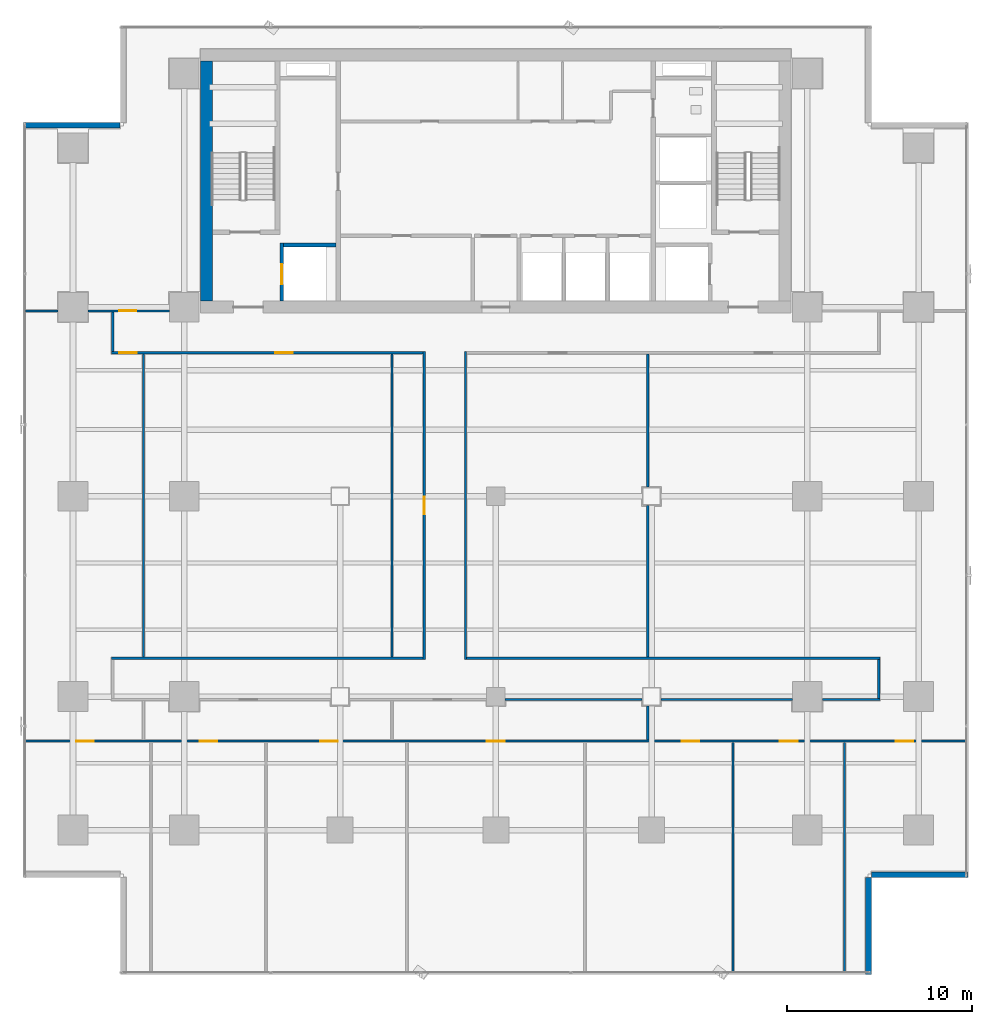
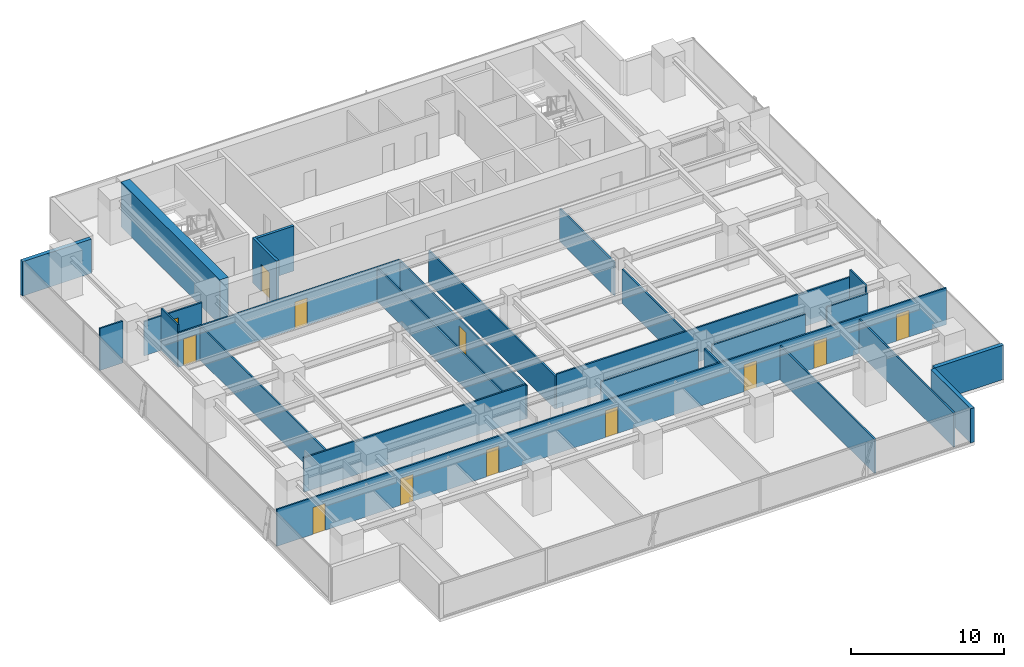
# One storey, part 28 of 37: 26 walls, 12 doors, 12 openings.
"""IFC4 building model written with IfcOpenShell, lengths in metres."""

from ifc_helpers import new_model, si_unit, direction, frame, frame_2d, origin, place, context, subcontext, project, spatial, rectangle, extrude, source, transform, mapped, material, layer, layer_set, type_object, element, fill, save


model = new_model("IFC4")

# Units and contexts
model_context = context("Model", 3, precision=1e-05, world=origin(), true_north=direction((0.0, 1.0)))
body_context = subcontext(model_context, "Body", "Model", "MODEL_VIEW")
ifc_project = project(units=[si_unit("LENGTHUNIT", "METRE"), si_unit("AREAUNIT", "SQUARE_METRE"), si_unit("VOLUMEUNIT", "CUBIC_METRE"), si_unit("PLANEANGLEUNIT", "RADIAN"), si_unit("MASSUNIT", "GRAM", prefix="KILO")], contexts=[model_context])

# Site, building, storey
site_placement = place(None, origin())
site = spatial("IfcSite", under=ifc_project, at=site_placement, CompositionType="ELEMENT")
building_placement = place(site_placement, origin())
building = spatial("IfcBuilding", under=site, at=building_placement, Name="Sumidabori Civic Tower", CompositionType="ELEMENT")
storey_placement = place(building_placement, frame((0.0, 0.0, 88.39990234375)))
storey = spatial("IfcBuildingStorey", under=building, at=storey_placement, Name="L22", CompositionType="ELEMENT", Elevation=88.39990234375)

# Walls
ifc_material_1 = material(Name="Concrete C50/60", Category="concrete")
ifc_layer_1 = layer(ifc_material_1, 0.199951171875, Name="Concrete C50/60")
ifc_layer_set_1 = layer_set([ifc_layer_1], Name="Concrete C50/60")
wall_type_1 = type_object("IfcWallType", Name="WL-SHAFT-200", PredefinedType="SHEAR", material=ifc_layer_set_1)
shared_shape_1 = source(origin(), body_context, "Body", "SweptSolid", [
    extrude(rectangle(XDim=2.824951171875, YDim=0.199951171875, at=frame_2d((1.41259765625, 0.0))), origin(), (0.0, 0.0, 1.0), 3.60009765625),
])
wall_1_placement = place(storey_placement, frame((-11.449951171875, 13.550048828125, 0.0), z_axis=(0.0, 0.0, 1.0), x_axis=(1.0, 0.0, 0.0)))
element("IfcWall", 1, at=wall_1_placement, inside=storey, type_object=wall_type_1, Name="Core Shear Wall L22 EL1-N", PredefinedType="SHEAR", context=body_context, shape_type="MappedRepresentation", body=[
    mapped(shared_shape_1, transform((0.0, 0.0, 0.0), x_axis=(1.0, 0.0, 0.0), y_axis=(0.0, 1.0, 0.0), z_axis=(0.0, 0.0, 1.0), scale=1.0)),
])
ifc_material_2 = material(Name="Concrete C60/75", Category="concrete")
ifc_layer_2 = layer(ifc_material_2, 0.64990234375, Name="Concrete C60/75")
ifc_layer_set_2 = layer_set([ifc_layer_2], Name="Concrete C60/75")
wall_type_2 = type_object("IfcWallType", Name="WL-CORE-650", PredefinedType="SHEAR", material=ifc_layer_set_2)
shared_shape_2 = source(origin(), body_context, "Body", "SweptSolid", [
    extrude(rectangle(XDim=12.9501953125, YDim=0.64990234375, at=frame_2d((6.47509765625, 0.0))), origin(), (0.0, 0.0, 1.0), 3.60009765625),
])
wall_2_placement = place(storey_placement, frame((-15.60009765625, 10.52490234375, 0.0), z_axis=(0.0, 0.0, 1.0), x_axis=(0.0, 1.0, 0.0)))
element("IfcWall", 2, at=wall_2_placement, inside=storey, type_object=wall_type_2, Name="Core Shear Wall L22 W", PredefinedType="SHEAR", context=body_context, shape_type="MappedRepresentation", body=[
    mapped(shared_shape_2, transform((0.0, 0.0, 0.0), x_axis=(1.0, 0.0, 0.0), y_axis=(0.0, 1.0, 0.0), z_axis=(0.0, 0.0, 1.0), scale=1.0)),
])

# Wall, opening, door
shared_shape_3 = source(origin(), body_context, "Body", "SweptSolid", [
    extrude(rectangle(XDim=3.125, YDim=0.199951171875, at=frame_2d((1.5625, 0.0))), origin(), (0.0, 0.0, 1.0), 3.60009765625),
])
wall_3_placement = place(storey_placement, frame((-11.550048828125, 10.52490234375, 0.0), z_axis=(0.0, 0.0, 1.0), x_axis=(0.0, 1.0, 0.0)))
wall_3 = element("IfcWall", 3, at=wall_3_placement, inside=storey, type_object=wall_type_1, Name="Core Shear Wall L22 EL1-W", PredefinedType="SHEAR", context=body_context, shape_type="MappedRepresentation", body=[
    mapped(shared_shape_3, transform((0.0, 0.0, 0.0), x_axis=(1.0, 0.0, 0.0), y_axis=(0.0, 1.0, 0.0), z_axis=(0.0, 0.0, 1.0), scale=1.0)),
])
opening_1_placement = place(wall_3_placement, frame((0.89990234375, 0.0, 0.0)))
opening_1 = element("IfcOpeningElement", 4, at=opening_1_placement, cuts=wall_3, Name="Opening LD-2", PredefinedType="OPENING", context=body_context, shape_type="SweptSolid", body=[
    extrude(rectangle(XDim=1.10009765625, YDim=2.14990234375, at=frame_2d((0.550048828125, 1.074951171875))), frame((0.0, 0.11181640625, 0.0), z_axis=(0.0, -1.0, 0.0), x_axis=(1.0, 0.0, 0.0)), (0.0, 0.0, 1.0), 0.223876953125),
])
ifc_material_3 = material(Name="Stainless Steel Hairline Finish", Category="steel")
door_type_1 = type_object("IfcDoorType", Name="DR-LD2", OperationType="DOUBLE_DOOR_SLIDING", PredefinedType="DOOR", material=ifc_material_3)
shared_shape_4 = source(origin(), body_context, "Body", "SweptSolid", [
    extrude(rectangle(XDim=1.10009765625, YDim=2.14990234375, at=frame_2d((0.550048828125, 1.074951171875))), frame((0.0, 0.02490234375, 0.0), z_axis=(0.0, -1.0, 0.0), x_axis=(1.0, 0.0, 0.0)), (0.0, 0.0, 1.0), 0.050048828125),
])
door_1_placement = place(opening_1_placement, origin())
door_1 = element("IfcDoor", 5, at=door_1_placement, inside=storey, type_object=door_type_1, Name="Door DR:L22:LD-EL1", OperationType="DOUBLE_DOOR_SLIDING", OverallHeight=2.14990234375, OverallWidth=1.10009765625, PredefinedType="DOOR", context=body_context, shape_type="MappedRepresentation", body=[
    mapped(shared_shape_4, transform((0.0, 0.0, 0.0), x_axis=(1.0, 0.0, 0.0), y_axis=(0.0, 1.0, 0.0), z_axis=(0.0, 0.0, 1.0), scale=1.0)),
])
fill(opening_1, door_1)

# Walls
ifc_material_4 = material(Name="Precast concrete C40/50", Category="concrete")
ifc_layer_3 = layer(ifc_material_4, 0.300048828125, Name="Precast concrete C40/50")
ifc_layer_set_3 = layer_set([ifc_layer_3], Name="Precast concrete C40/50")
wall_type_3 = type_object("IfcWallType", Name="WL-EXT-POD300", PredefinedType="STANDARD", material=ifc_layer_set_3)
shared_shape_5 = source(origin(), body_context, "Body", "SweptSolid", [
    extrude(rectangle(XDim=5.2099609375, YDim=0.300048828125, at=frame_2d((2.60498046875, 0.0))), origin(), (0.0, 0.0, 1.0), 2.739990234375),
])
for number, where, z_axis, x_axis, name in (
    (6, (20.10009765625, -25.780029296875, 0.0), (0.0, 0.0, 1.0), (0.0, 1.0, 0.0), "Notched Corner Spandrel Band L22-02"),
    (7, (20.27001953125, -20.39990234375, 0.0), (0.0, 0.0, 1.0), (1.0, 0.0, 0.0), "Notched Corner Spandrel Band L22-03"),
    (8, (-20.27001953125, 20.0, 0.0), (0.0, 0.0, 1.0), (-1.0, 0.0, 0.0), "Notched Corner Spandrel Band L22-09"),
):
    element("IfcWall", number, at=place(storey_placement, frame(where, z_axis=z_axis, x_axis=x_axis)), inside=storey, type_object=wall_type_3, Name=name, PredefinedType="STANDARD", context=body_context, shape_type="MappedRepresentation", body=[
        mapped(shared_shape_5, transform((0.0, 0.0, 0.0), x_axis=(1.0, 0.0, 0.0), y_axis=(0.0, 1.0, 0.0), z_axis=(0.0, 0.0, 1.0), scale=1.0)),
    ])
ifc_material_5 = material(Name="Gypsum Plasterboard Acoustic Partition")
ifc_layer_4 = layer(ifc_material_5, 0.1201171875, Name="Gypsum Plasterboard Acoustic Partition")
ifc_layer_set_4 = layer_set([ifc_layer_4], Name="Gypsum Plasterboard Acoustic Partition")
wall_type_4 = type_object("IfcWallType", Name="WL-PART-120", PredefinedType="PARTITIONING", material=ifc_layer_set_4)
shared_shape_6 = source(origin(), body_context, "Body", "SweptSolid", [
    extrude(rectangle(XDim=1.739990234375, YDim=0.1201171875, at=frame_2d((0.8701171875, 0.0))), origin(), (0.0, 0.0, 1.0), 3.360107421875),
])
wall_4_placement = place(storey_placement, frame((-25.35009765625, 10.0, 0.0), z_axis=(0.0, 0.0, 1.0), x_axis=(1.0, 0.0, 0.0)))
element("IfcWall", 9, at=wall_4_placement, inside=storey, type_object=wall_type_4, Name="Interior Partition WL:L22:FLK-NW-1", PredefinedType="PARTITIONING", context=body_context, shape_type="MappedRepresentation", body=[
    mapped(shared_shape_6, transform((0.0, 0.0, 0.0), x_axis=(1.0, 0.0, 0.0), y_axis=(0.0, 1.0, 0.0), z_axis=(0.0, 0.0, 1.0), scale=1.0)),
])

# Wall, opening, door
shared_shape_7 = source(origin(), body_context, "Body", "SweptSolid", [
    extrude(rectangle(XDim=4.3798828125, YDim=0.1201171875, at=frame_2d((2.18994140625, 0.0))), origin(), (0.0, 0.0, 1.0), 2.7451171875),
])
wall_5_placement = place(storey_placement, frame((-21.989990234375, 10.0, 0.0), z_axis=(0.0, 0.0, 1.0), x_axis=(1.0, 0.0, 0.0)))
wall_5 = element("IfcWall", 10, at=wall_5_placement, inside=storey, type_object=wall_type_4, Name="Interior Partition WL:L22:FLK-NW-2", PredefinedType="PARTITIONING", context=body_context, shape_type="MappedRepresentation", body=[
    mapped(shared_shape_7, transform((0.0, 0.0, 0.0), x_axis=(1.0, 0.0, 0.0), y_axis=(0.0, 1.0, 0.0), z_axis=(0.0, 0.0, 1.0), scale=1.0)),
])
opening_2_placement = place(wall_5_placement, frame((1.695068359375, 0.0, 0.0)))
opening_2 = element("IfcOpeningElement", 11, at=opening_2_placement, cuts=wall_5, Name="Opening DR-1", PredefinedType="OPENING", context=body_context, shape_type="SweptSolid", body=[
    extrude(rectangle(XDim=0.89990234375, YDim=2.14990234375, at=frame_2d((0.449951171875, 1.074951171875))), frame((0.0, 0.072021484375, 0.0), z_axis=(0.0, -1.0, 0.0), x_axis=(1.0, 0.0, 0.0)), (0.0, 0.0, 1.0), 0.14404296875),
])
ifc_material_6 = material(Name="Japanese Hinoki Timber", Category="wood")
door_type_2 = type_object("IfcDoorType", Name="DR-INT-900", OperationType="NOTDEFINED", PredefinedType="DOOR", material=ifc_material_6)
shared_shape_8 = source(origin(), body_context, "Body", "SweptSolid", [
    extrude(rectangle(XDim=0.89990234375, YDim=2.14990234375, at=frame_2d((0.449951171875, 1.074951171875))), frame((0.0, 0.02490234375, 0.0), z_axis=(0.0, -1.0, 0.0), x_axis=(1.0, 0.0, 0.0)), (0.0, 0.0, 1.0), 0.050048828125),
])
door_2_placement = place(opening_2_placement, origin())
door_2 = element("IfcDoor", 12, at=door_2_placement, inside=storey, type_object=door_type_2, Name="Door DR:L22:FLK-NE", OperationType="SINGLE_SWING_LEFT", OverallHeight=2.14990234375, OverallWidth=0.89990234375, PredefinedType="DOOR", context=body_context, shape_type="MappedRepresentation", body=[
    mapped(shared_shape_8, transform((0.0, 0.0, 0.0), x_axis=(1.0, 0.0, 0.0), y_axis=(0.0, 1.0, 0.0), z_axis=(0.0, 0.0, 1.0), scale=1.0)),
])
fill(opening_2, door_2)

# Wall, openings, doors
shared_shape_9 = source(origin(), body_context, "Body", "SweptSolid", [
    extrude(rectangle(XDim=16.800048828125, YDim=0.1201171875, at=frame_2d((8.39990234375, 0.0))), origin(), (0.0, 0.0, 1.0), 2.7451171875),
])
wall_6_placement = place(storey_placement, frame((-20.719970703125, 7.739990234375, 0.0), z_axis=(0.0, 0.0, 1.0), x_axis=(1.0, 0.0, 0.0)))
wall_6 = element("IfcWall", 13, at=wall_6_placement, inside=storey, type_object=wall_type_4, Name="Interior Partition WL:L22:CORR-SW", PredefinedType="PARTITIONING", context=body_context, shape_type="MappedRepresentation", body=[
    mapped(shared_shape_9, transform((0.0, 0.0, 0.0), x_axis=(1.0, 0.0, 0.0), y_axis=(0.0, 1.0, 0.0), z_axis=(0.0, 0.0, 1.0), scale=1.0)),
])
opening_3_placement = place(wall_6_placement, frame((8.824951171875, 0.0, 0.0)))
opening_3 = element("IfcOpeningElement", 14, at=opening_3_placement, cuts=wall_6, Name="Opening DR-2", PredefinedType="OPENING", context=body_context, shape_type="SweptSolid", body=[
    extrude(rectangle(XDim=0.949951171875, YDim=2.14990234375, at=frame_2d((0.47509765625, 1.074951171875))), frame((0.0, 0.072021484375, 0.0), z_axis=(0.0, -1.0, 0.0), x_axis=(1.0, 0.0, 0.0)), (0.0, 0.0, 1.0), 0.14404296875),
])
opening_4_placement = place(wall_6_placement, frame((0.4150390625, 0.0, 0.0)))
opening_4 = element("IfcOpeningElement", 15, at=opening_4_placement, cuts=wall_6, Name="Opening DR-2", PredefinedType="OPENING", context=body_context, shape_type="SweptSolid", body=[
    extrude(rectangle(XDim=0.949951171875, YDim=2.14990234375, at=frame_2d((0.47509765625, 1.074951171875))), frame((0.0, 0.072021484375, 0.0), z_axis=(0.0, -1.0, 0.0), x_axis=(1.0, 0.0, 0.0)), (0.0, 0.0, 1.0), 0.14404296875),
])
door_type_3 = type_object("IfcDoorType", Name="DR-INT-950", OperationType="NOTDEFINED", PredefinedType="DOOR", material=ifc_material_6)
shared_shape_10 = source(origin(), body_context, "Body", "SweptSolid", [
    extrude(rectangle(XDim=0.949951171875, YDim=2.14990234375, at=frame_2d((0.47509765625, 1.074951171875))), frame((0.0, 0.02490234375, 0.0), z_axis=(0.0, -1.0, 0.0), x_axis=(1.0, 0.0, 0.0)), (0.0, 0.0, 1.0), 0.050048828125),
])
door_3_placement = place(opening_3_placement, origin())
door_3 = element("IfcDoor", 16, at=door_3_placement, inside=storey, type_object=door_type_3, Name="Door DR:L22:D02", OperationType="SINGLE_SWING_RIGHT", OverallHeight=2.14990234375, OverallWidth=0.949951171875, PredefinedType="DOOR", context=body_context, shape_type="MappedRepresentation", body=[
    mapped(shared_shape_10, transform((0.0, 0.0, 0.0), x_axis=(1.0, 0.0, 0.0), y_axis=(0.0, 1.0, 0.0), z_axis=(0.0, 0.0, 1.0), scale=1.0)),
])
fill(opening_3, door_3)
door_4_placement = place(opening_4_placement, origin())
door_4 = element("IfcDoor", 17, at=door_4_placement, inside=storey, type_object=door_type_3, Name="Door DR:L22:D05", OperationType="SINGLE_SWING_LEFT", OverallHeight=2.14990234375, OverallWidth=0.949951171875, PredefinedType="DOOR", context=body_context, shape_type="MappedRepresentation", body=[
    mapped(shared_shape_10, transform((0.0, 0.0, 0.0), x_axis=(1.0, 0.0, 0.0), y_axis=(0.0, 1.0, 0.0), z_axis=(0.0, 0.0, 1.0), scale=1.0)),
])
fill(opening_4, door_4)

# Walls
wall_7_placement = place(storey_placement, frame((-20.719970703125, -8.739990234375, 0.0), z_axis=(0.0, 0.0, 1.0), x_axis=(1.0, 0.0, 0.0)))
element("IfcWall", 18, at=wall_7_placement, inside=storey, type_object=wall_type_4, Name="Interior Partition WL:L22:CORR-MNW", PredefinedType="PARTITIONING", context=body_context, shape_type="MappedRepresentation", body=[
    mapped(shared_shape_9, transform((0.0, 0.0, 0.0), x_axis=(1.0, 0.0, 0.0), y_axis=(0.0, 1.0, 0.0), z_axis=(0.0, 0.0, 1.0), scale=1.0)),
])
shared_shape_11 = source(origin(), body_context, "Body", "SweptSolid", [
    extrude(rectangle(XDim=22.300048828125, YDim=0.1201171875, at=frame_2d((11.14990234375, 0.0))), origin(), (0.0, 0.0, 1.0), 2.7451171875),
])
wall_8_placement = place(storey_placement, frame((-1.580078125, -8.739990234375, 0.0), z_axis=(0.0, 0.0, 1.0), x_axis=(1.0, 0.0, 0.0)))
element("IfcWall", 19, at=wall_8_placement, inside=storey, type_object=wall_type_4, Name="Interior Partition WL:L22:CORR-MNE", PredefinedType="PARTITIONING", context=body_context, shape_type="MappedRepresentation", body=[
    mapped(shared_shape_11, transform((0.0, 0.0, 0.0), x_axis=(1.0, 0.0, 0.0), y_axis=(0.0, 1.0, 0.0), z_axis=(0.0, 0.0, 1.0), scale=1.0)),
])
shared_shape_12 = source(origin(), body_context, "Body", "SweptSolid", [
    extrude(rectangle(XDim=3.10986328125, YDim=0.1201171875, at=frame_2d((1.554931640625, 0.0))), origin(), (0.0, 0.0, 1.0), 2.7451171875),
])
wall_9_placement = place(storey_placement, frame((17.610107421875, -10.9599609375, 0.0), z_axis=(0.0, 0.0, 1.0), x_axis=(1.0, 0.0, 0.0)))
element("IfcWall", 20, at=wall_9_placement, inside=storey, type_object=wall_type_4, Name="Interior Partition WL:L22:CORR-SS-6", PredefinedType="PARTITIONING", context=body_context, shape_type="MappedRepresentation", body=[
    mapped(shared_shape_12, transform((0.0, 0.0, 0.0), x_axis=(1.0, 0.0, 0.0), y_axis=(0.0, 1.0, 0.0), z_axis=(0.0, 0.0, 1.0), scale=1.0)),
])
shared_shape_13 = source(origin(), body_context, "Body", "SweptSolid", [
    extrude(rectangle(XDim=7.080078125, YDim=0.1201171875, at=frame_2d((3.5400390625, 0.0))), origin(), (0.0, 0.0, 1.0), 2.7451171875),
])
wall_10_placement = place(storey_placement, frame((8.909912109375, -10.9599609375, 0.0), z_axis=(0.0, 0.0, 1.0), x_axis=(1.0, 0.0, 0.0)))
element("IfcWall", 21, at=wall_10_placement, inside=storey, type_object=wall_type_4, Name="Interior Partition WL:L22:CORR-SS-5", PredefinedType="PARTITIONING", context=body_context, shape_type="MappedRepresentation", body=[
    mapped(shared_shape_13, transform((0.0, 0.0, 0.0), x_axis=(1.0, 0.0, 0.0), y_axis=(0.0, 1.0, 0.0), z_axis=(0.0, 0.0, 1.0), scale=1.0)),
])
shared_shape_14 = source(origin(), body_context, "Body", "SweptSolid", [
    extrude(rectangle(XDim=7.3798828125, YDim=0.1201171875, at=frame_2d((3.68994140625, 0.0))), origin(), (0.0, 0.0, 1.0), 2.7451171875),
])
wall_11_placement = place(storey_placement, frame((0.510009765625, -10.9599609375, 0.0), z_axis=(0.0, 0.0, 1.0), x_axis=(1.0, 0.0, 0.0)))
element("IfcWall", 22, at=wall_11_placement, inside=storey, type_object=wall_type_4, Name="Interior Partition WL:L22:CORR-SS-4", PredefinedType="PARTITIONING", context=body_context, shape_type="MappedRepresentation", body=[
    mapped(shared_shape_14, transform((0.0, 0.0, 0.0), x_axis=(1.0, 0.0, 0.0), y_axis=(0.0, 1.0, 0.0), z_axis=(0.0, 0.0, 1.0), scale=1.0)),
])
shared_shape_15 = source(origin(), body_context, "Body", "SweptSolid", [
    extrude(rectangle(XDim=2.130126953125, YDim=0.1201171875, at=frame_2d((1.06494140625, 0.0))), origin(), (0.0, 0.0, 1.0), 3.360107421875),
])
wall_12_placement = place(storey_placement, frame((-20.659912109375, 7.804931640625, 0.0), z_axis=(0.0, 0.0, 1.0), x_axis=(0.0, 1.0, 0.0)))
element("IfcWall", 23, at=wall_12_placement, inside=storey, type_object=wall_type_4, Name="Interior Partition WL:L22:CORR-VNW", PredefinedType="PARTITIONING", context=body_context, shape_type="MappedRepresentation", body=[
    mapped(shared_shape_15, transform((0.0, 0.0, 0.0), x_axis=(1.0, 0.0, 0.0), y_axis=(0.0, 1.0, 0.0), z_axis=(0.0, 0.0, 1.0), scale=1.0)),
])

# Wall, opening, door
shared_shape_16 = source(origin(), body_context, "Body", "SweptSolid", [
    extrude(rectangle(XDim=16.60009765625, YDim=0.1201171875, at=frame_2d((8.300048828125, 0.0))), origin(), (0.0, 0.0, 1.0), 2.64501953125),
])
wall_13_placement = place(storey_placement, frame((-3.860107421875, -8.800048828125, 0.0), z_axis=(0.0, 0.0, 1.0), x_axis=(0.0, 1.0, 0.0)))
wall_13 = element("IfcWall", 24, at=wall_13_placement, inside=storey, type_object=wall_type_4, Name="Interior Partition WL:L22:CORR-VSP-W", PredefinedType="PARTITIONING", context=body_context, shape_type="MappedRepresentation", body=[
    mapped(shared_shape_16, transform((0.0, 0.0, 0.0), x_axis=(1.0, 0.0, 0.0), y_axis=(0.0, 1.0, 0.0), z_axis=(0.0, 0.0, 1.0), scale=1.0)),
])
opening_5_placement = place(wall_13_placement, frame((7.824951171875, 0.0, 0.0)))
opening_5 = element("IfcOpeningElement", 25, at=opening_5_placement, cuts=wall_13, Name="Opening DR-2", PredefinedType="OPENING", context=body_context, shape_type="SweptSolid", body=[
    extrude(rectangle(XDim=0.949951171875, YDim=2.14990234375, at=frame_2d((0.47509765625, 1.074951171875))), frame((0.0, 0.072021484375, 0.0), z_axis=(0.0, -1.0, 0.0), x_axis=(1.0, 0.0, 0.0)), (0.0, 0.0, 1.0), 0.14404296875),
])
door_5_placement = place(opening_5_placement, origin())
door_5 = element("IfcDoor", 26, at=door_5_placement, inside=storey, type_object=door_type_3, Name="Door DR:L22:D03", OperationType="SINGLE_SWING_LEFT", OverallHeight=2.14990234375, OverallWidth=0.949951171875, PredefinedType="DOOR", context=body_context, shape_type="MappedRepresentation", body=[
    mapped(shared_shape_10, transform((0.0, 0.0, 0.0), x_axis=(1.0, 0.0, 0.0), y_axis=(0.0, 1.0, 0.0), z_axis=(0.0, 0.0, 1.0), scale=1.0)),
])
fill(opening_5, door_5)

# Walls
wall_14_placement = place(storey_placement, frame((-1.639892578125, -8.800048828125, 0.0), z_axis=(0.0, 0.0, 1.0), x_axis=(0.0, 1.0, 0.0)))
element("IfcWall", 27, at=wall_14_placement, inside=storey, type_object=wall_type_4, Name="Interior Partition WL:L22:CORR-VSP-E", PredefinedType="PARTITIONING", context=body_context, shape_type="MappedRepresentation", body=[
    mapped(shared_shape_16, transform((0.0, 0.0, 0.0), x_axis=(1.0, 0.0, 0.0), y_axis=(0.0, 1.0, 0.0), z_axis=(0.0, 0.0, 1.0), scale=1.0)),
])
shared_shape_17 = source(origin(), body_context, "Body", "SweptSolid", [
    extrude(rectangle(XDim=2.090087890625, YDim=0.1201171875, at=frame_2d((1.044921875, 0.0))), origin(), (0.0, 0.0, 1.0), 3.360107421875),
])
wall_15_placement = place(storey_placement, frame((20.659912109375, -10.89501953125, 0.0), z_axis=(0.0, 0.0, 1.0), x_axis=(0.0, 1.0, 0.0)))
element("IfcWall", 28, at=wall_15_placement, inside=storey, type_object=wall_type_4, Name="Interior Partition WL:L22:CORR-VSE", PredefinedType="PARTITIONING", context=body_context, shape_type="MappedRepresentation", body=[
    mapped(shared_shape_17, transform((0.0, 0.0, 0.0), x_axis=(1.0, 0.0, 0.0), y_axis=(0.0, 1.0, 0.0), z_axis=(0.0, 0.0, 1.0), scale=1.0)),
])

# Wall, openings, doors
shared_shape_18 = source(origin(), body_context, "Body", "SweptSolid", [
    extrude(rectangle(XDim=50.7001953125, YDim=0.1201171875, at=frame_2d((25.35009765625, 0.0))), origin(), (0.0, 0.0, 1.0), 2.945068359375),
])
wall_16_placement = place(storey_placement, frame((-25.35009765625, -13.199951171875, 0.0), z_axis=(0.0, 0.0, 1.0), x_axis=(1.0, 0.0, 0.0)))
wall_16 = element("IfcWall", 29, at=wall_16_placement, inside=storey, type_object=wall_type_4, Name="Interior Partition WL:L22:BAND-Y", PredefinedType="PARTITIONING", context=body_context, shape_type="MappedRepresentation", body=[
    mapped(shared_shape_18, transform((0.0, 0.0, 0.0), x_axis=(1.0, 0.0, 0.0), y_axis=(0.0, 1.0, 0.0), z_axis=(0.0, 0.0, 1.0), scale=1.0)),
])
opening_6_placement = place(wall_16_placement, frame((46.919921875, 0.0, 0.0)))
opening_6 = element("IfcOpeningElement", 30, at=opening_6_placement, cuts=wall_16, Name="Opening DR-2", PredefinedType="OPENING", context=body_context, shape_type="SweptSolid", body=[
    extrude(rectangle(XDim=0.949951171875, YDim=2.14990234375, at=frame_2d((0.47509765625, 1.074951171875))), frame((0.0, 0.072021484375, 0.0), z_axis=(0.0, -1.0, 0.0), x_axis=(1.0, 0.0, 0.0)), (0.0, 0.0, 1.0), 0.14404296875),
])
opening_7_placement = place(wall_16_placement, frame((2.72998046875, 0.0, 0.0)))
opening_7 = element("IfcOpeningElement", 31, at=opening_7_placement, cuts=wall_16, Name="Opening DR-2", PredefinedType="OPENING", context=body_context, shape_type="SweptSolid", body=[
    extrude(rectangle(XDim=0.949951171875, YDim=2.14990234375, at=frame_2d((0.47509765625, 1.074951171875))), frame((0.0, 0.072021484375, 0.0), z_axis=(0.0, -1.0, 0.0), x_axis=(1.0, 0.0, 0.0)), (0.0, 0.0, 1.0), 0.14404296875),
])
opening_8_placement = place(wall_16_placement, frame((9.375, 0.0, 0.0)))
opening_8 = element("IfcOpeningElement", 32, at=opening_8_placement, cuts=wall_16, Name="Opening DR-2", PredefinedType="OPENING", context=body_context, shape_type="SweptSolid", body=[
    extrude(rectangle(XDim=0.949951171875, YDim=2.14990234375, at=frame_2d((0.47509765625, 1.074951171875))), frame((0.0, 0.072021484375, 0.0), z_axis=(0.0, -1.0, 0.0), x_axis=(1.0, 0.0, 0.0)), (0.0, 0.0, 1.0), 0.14404296875),
])
opening_9_placement = place(wall_16_placement, frame((15.875, 0.0, 0.0)))
opening_9 = element("IfcOpeningElement", 33, at=opening_9_placement, cuts=wall_16, Name="Opening DR-2", PredefinedType="OPENING", context=body_context, shape_type="SweptSolid", body=[
    extrude(rectangle(XDim=0.949951171875, YDim=2.14990234375, at=frame_2d((0.47509765625, 1.074951171875))), frame((0.0, 0.072021484375, 0.0), z_axis=(0.0, -1.0, 0.0), x_axis=(1.0, 0.0, 0.0)), (0.0, 0.0, 1.0), 0.14404296875),
])
opening_10_placement = place(wall_16_placement, frame((24.875, 0.0, 0.0)))
opening_10 = element("IfcOpeningElement", 34, at=opening_10_placement, cuts=wall_16, Name="Opening DR-2", PredefinedType="OPENING", context=body_context, shape_type="SweptSolid", body=[
    extrude(rectangle(XDim=0.949951171875, YDim=2.14990234375, at=frame_2d((0.47509765625, 1.074951171875))), frame((0.0, 0.072021484375, 0.0), z_axis=(0.0, -1.0, 0.0), x_axis=(1.0, 0.0, 0.0)), (0.0, 0.0, 1.0), 0.14404296875),
])
opening_11_placement = place(wall_16_placement, frame((35.375, 0.0, 0.0)))
opening_11 = element("IfcOpeningElement", 35, at=opening_11_placement, cuts=wall_16, Name="Opening DR-2", PredefinedType="OPENING", context=body_context, shape_type="SweptSolid", body=[
    extrude(rectangle(XDim=0.949951171875, YDim=2.14990234375, at=frame_2d((0.47509765625, 1.074951171875))), frame((0.0, 0.072021484375, 0.0), z_axis=(0.0, -1.0, 0.0), x_axis=(1.0, 0.0, 0.0)), (0.0, 0.0, 1.0), 0.14404296875),
])
opening_12_placement = place(wall_16_placement, frame((40.675048828125, 0.0, 0.0)))
opening_12 = element("IfcOpeningElement", 36, at=opening_12_placement, cuts=wall_16, Name="Opening DR-2", PredefinedType="OPENING", context=body_context, shape_type="SweptSolid", body=[
    extrude(rectangle(XDim=0.949951171875, YDim=2.14990234375, at=frame_2d((0.47509765625, 1.074951171875))), frame((0.0, 0.072021484375, 0.0), z_axis=(0.0, -1.0, 0.0), x_axis=(1.0, 0.0, 0.0)), (0.0, 0.0, 1.0), 0.14404296875),
])
door_6_placement = place(opening_6_placement, origin())
door_6 = element("IfcDoor", 37, at=door_6_placement, inside=storey, type_object=door_type_3, Name="Door DR:L22:D09", OperationType="SINGLE_SWING_LEFT", OverallHeight=2.14990234375, OverallWidth=0.949951171875, PredefinedType="DOOR", context=body_context, shape_type="MappedRepresentation", body=[
    mapped(shared_shape_10, transform((0.0, 0.0, 0.0), x_axis=(1.0, 0.0, 0.0), y_axis=(0.0, 1.0, 0.0), z_axis=(0.0, 0.0, 1.0), scale=1.0)),
])
fill(opening_6, door_6)
door_7_placement = place(opening_7_placement, origin())
door_7 = element("IfcDoor", 38, at=door_7_placement, inside=storey, type_object=door_type_3, Name="Door DR:L22:D10", OperationType="SINGLE_SWING_RIGHT", OverallHeight=2.14990234375, OverallWidth=0.949951171875, PredefinedType="DOOR", context=body_context, shape_type="MappedRepresentation", body=[
    mapped(shared_shape_10, transform((0.0, 0.0, 0.0), x_axis=(1.0, 0.0, 0.0), y_axis=(0.0, 1.0, 0.0), z_axis=(0.0, 0.0, 1.0), scale=1.0)),
])
fill(opening_7, door_7)
door_8_placement = place(opening_8_placement, origin())
door_8 = element("IfcDoor", 39, at=door_8_placement, inside=storey, type_object=door_type_3, Name="Door DR:L22:D11", OperationType="SINGLE_SWING_LEFT", OverallHeight=2.14990234375, OverallWidth=0.949951171875, PredefinedType="DOOR", context=body_context, shape_type="MappedRepresentation", body=[
    mapped(shared_shape_10, transform((0.0, 0.0, 0.0), x_axis=(1.0, 0.0, 0.0), y_axis=(0.0, 1.0, 0.0), z_axis=(0.0, 0.0, 1.0), scale=1.0)),
])
fill(opening_8, door_8)
door_9_placement = place(opening_9_placement, origin())
door_9 = element("IfcDoor", 40, at=door_9_placement, inside=storey, type_object=door_type_3, Name="Door DR:L22:D12", OperationType="SINGLE_SWING_RIGHT", OverallHeight=2.14990234375, OverallWidth=0.949951171875, PredefinedType="DOOR", context=body_context, shape_type="MappedRepresentation", body=[
    mapped(shared_shape_10, transform((0.0, 0.0, 0.0), x_axis=(1.0, 0.0, 0.0), y_axis=(0.0, 1.0, 0.0), z_axis=(0.0, 0.0, 1.0), scale=1.0)),
])
fill(opening_9, door_9)
door_10_placement = place(opening_10_placement, origin())
door_10 = element("IfcDoor", 41, at=door_10_placement, inside=storey, type_object=door_type_3, Name="Door DR:L22:D13", OperationType="SINGLE_SWING_LEFT", OverallHeight=2.14990234375, OverallWidth=0.949951171875, PredefinedType="DOOR", context=body_context, shape_type="MappedRepresentation", body=[
    mapped(shared_shape_10, transform((0.0, 0.0, 0.0), x_axis=(1.0, 0.0, 0.0), y_axis=(0.0, 1.0, 0.0), z_axis=(0.0, 0.0, 1.0), scale=1.0)),
])
fill(opening_10, door_10)
door_11_placement = place(opening_11_placement, origin())
door_11 = element("IfcDoor", 42, at=door_11_placement, inside=storey, type_object=door_type_3, Name="Door DR:L22:D14", OperationType="SINGLE_SWING_RIGHT", OverallHeight=2.14990234375, OverallWidth=0.949951171875, PredefinedType="DOOR", context=body_context, shape_type="MappedRepresentation", body=[
    mapped(shared_shape_10, transform((0.0, 0.0, 0.0), x_axis=(1.0, 0.0, 0.0), y_axis=(0.0, 1.0, 0.0), z_axis=(0.0, 0.0, 1.0), scale=1.0)),
])
fill(opening_11, door_11)
door_12_placement = place(opening_12_placement, origin())
door_12 = element("IfcDoor", 43, at=door_12_placement, inside=storey, type_object=door_type_3, Name="Door DR:L22:D15", OperationType="SINGLE_SWING_LEFT", OverallHeight=2.14990234375, OverallWidth=0.949951171875, PredefinedType="DOOR", context=body_context, shape_type="MappedRepresentation", body=[
    mapped(shared_shape_10, transform((0.0, 0.0, 0.0), x_axis=(1.0, 0.0, 0.0), y_axis=(0.0, 1.0, 0.0), z_axis=(0.0, 0.0, 1.0), scale=1.0)),
])
fill(opening_12, door_12)

# Walls
shared_shape_19 = source(origin(), body_context, "Body", "SweptSolid", [
    extrude(rectangle(XDim=16.35009765625, YDim=0.1201171875, at=frame_2d((8.175048828125, 0.0))), origin(), (0.0, 0.0, 1.0), 2.7451171875),
])
wall_17_placement = place(storey_placement, frame((-19.0, -8.675048828125, 0.0), z_axis=(0.0, 0.0, 1.0), x_axis=(0.0, 1.0, 0.0)))
element("IfcWall", 44, at=wall_17_placement, inside=storey, type_object=wall_type_4, Name="Interior Partition WL:L22:VX-N1-2", PredefinedType="PARTITIONING", context=body_context, shape_type="MappedRepresentation", body=[
    mapped(shared_shape_19, transform((0.0, 0.0, 0.0), x_axis=(1.0, 0.0, 0.0), y_axis=(0.0, 1.0, 0.0), z_axis=(0.0, 0.0, 1.0), scale=1.0)),
])
shared_shape_20 = source(origin(), body_context, "Body", "SweptSolid", [
    extrude(rectangle(XDim=16.35009765625, YDim=0.1201171875, at=frame_2d((8.175048828125, 0.0))), origin(), (0.0, 0.0, 1.0), 2.64501953125),
])
wall_18_placement = place(storey_placement, frame((-5.60009765625, -8.675048828125, 0.0), z_axis=(0.0, 0.0, 1.0), x_axis=(0.0, 1.0, 0.0)))
element("IfcWall", 45, at=wall_18_placement, inside=storey, type_object=wall_type_4, Name="Interior Partition WL:L22:VX-N2-2", PredefinedType="PARTITIONING", context=body_context, shape_type="MappedRepresentation", body=[
    mapped(shared_shape_20, transform((0.0, 0.0, 0.0), x_axis=(1.0, 0.0, 0.0), y_axis=(0.0, 1.0, 0.0), z_axis=(0.0, 0.0, 1.0), scale=1.0)),
])
shared_shape_21 = source(origin(), body_context, "Body", "SweptSolid", [
    extrude(rectangle(XDim=1.824951171875, YDim=0.1201171875, at=frame_2d((0.91259765625, 0.0))), origin(), (0.0, 0.0, 1.0), 2.945068359375),
])
wall_19_placement = place(storey_placement, frame((8.199951171875, -13.135009765625, 0.0), z_axis=(0.0, 0.0, 1.0), x_axis=(0.0, 1.0, 0.0)))
element("IfcWall", 46, at=wall_19_placement, inside=storey, type_object=wall_type_4, Name="Interior Partition WL:L22:VX-N3-1", PredefinedType="PARTITIONING", context=body_context, shape_type="MappedRepresentation", body=[
    mapped(shared_shape_21, transform((0.0, 0.0, 0.0), x_axis=(1.0, 0.0, 0.0), y_axis=(0.0, 1.0, 0.0), z_axis=(0.0, 0.0, 1.0), scale=1.0)),
])
shared_shape_22 = source(origin(), body_context, "Body", "SweptSolid", [
    extrude(rectangle(XDim=8.1650390625, YDim=0.1201171875, at=frame_2d((4.08251953125, 0.0))), origin(), (0.0, 0.0, 1.0), 2.7451171875),
])
wall_20_placement = place(storey_placement, frame((8.199951171875, -8.675048828125, 0.0), z_axis=(0.0, 0.0, 1.0), x_axis=(0.0, 1.0, 0.0)))
element("IfcWall", 47, at=wall_20_placement, inside=storey, type_object=wall_type_4, Name="Interior Partition WL:L22:VX-N3-2", PredefinedType="PARTITIONING", context=body_context, shape_type="MappedRepresentation", body=[
    mapped(shared_shape_22, transform((0.0, 0.0, 0.0), x_axis=(1.0, 0.0, 0.0), y_axis=(0.0, 1.0, 0.0), z_axis=(0.0, 0.0, 1.0), scale=1.0)),
])
shared_shape_23 = source(origin(), body_context, "Body", "SweptSolid", [
    extrude(rectangle(XDim=7.1650390625, YDim=0.1201171875, at=frame_2d((3.58251953125, 0.0))), origin(), (0.0, 0.0, 1.0), 2.64501953125),
])
wall_21_placement = place(storey_placement, frame((8.199951171875, 0.510009765625, 0.0), z_axis=(0.0, 0.0, 1.0), x_axis=(0.0, 1.0, 0.0)))
element("IfcWall", 48, at=wall_21_placement, inside=storey, type_object=wall_type_4, Name="Interior Partition WL:L22:VX-N3-3", PredefinedType="PARTITIONING", context=body_context, shape_type="MappedRepresentation", body=[
    mapped(shared_shape_23, transform((0.0, 0.0, 0.0), x_axis=(1.0, 0.0, 0.0), y_axis=(0.0, 1.0, 0.0), z_axis=(0.0, 0.0, 1.0), scale=1.0)),
])
shared_shape_24 = source(origin(), body_context, "Body", "SweptSolid", [
    extrude(rectangle(XDim=12.385009765625, YDim=0.1201171875, at=frame_2d((6.1923828125, 0.0))), origin(), (0.0, 0.0, 1.0), 2.7451171875),
])
for number, where, z_axis, x_axis, name in (
    (49, (12.800048828125, -25.64990234375, 0.0), (0.0, 0.0, 1.0), (0.0, 1.0, 0.0), "Interior Partition WL:L22:VX-S5"),
    (50, (18.800048828125, -25.64990234375, 0.0), (0.0, 0.0, 1.0), (0.0, 1.0, 0.0), "Interior Partition WL:L22:VX-S6"),
):
    element("IfcWall", number, at=place(storey_placement, frame(where, z_axis=z_axis, x_axis=x_axis)), inside=storey, type_object=wall_type_4, Name=name, PredefinedType="PARTITIONING", context=body_context, shape_type="MappedRepresentation", body=[
        mapped(shared_shape_24, transform((0.0, 0.0, 0.0), x_axis=(1.0, 0.0, 0.0), y_axis=(0.0, 1.0, 0.0), z_axis=(0.0, 0.0, 1.0), scale=1.0)),
    ])

save(model, "model.ifc")
